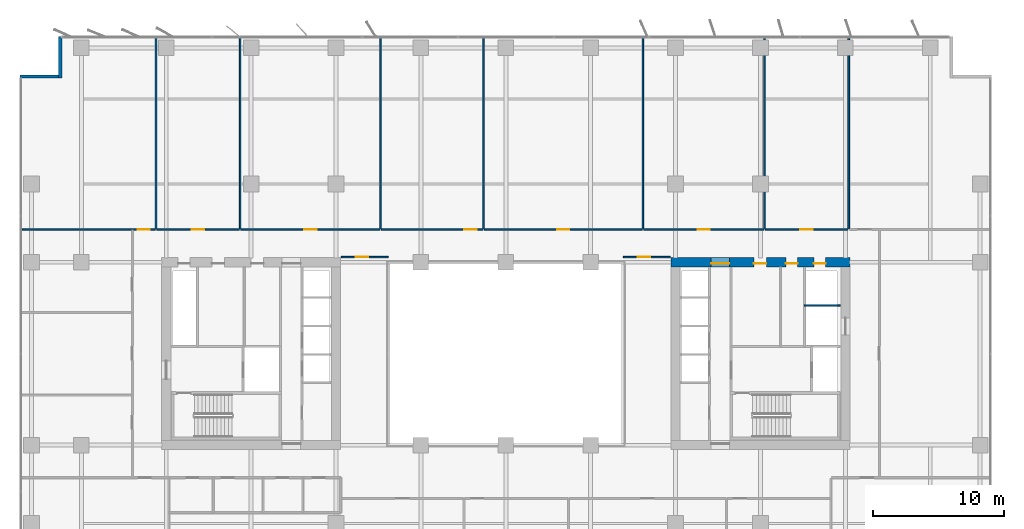
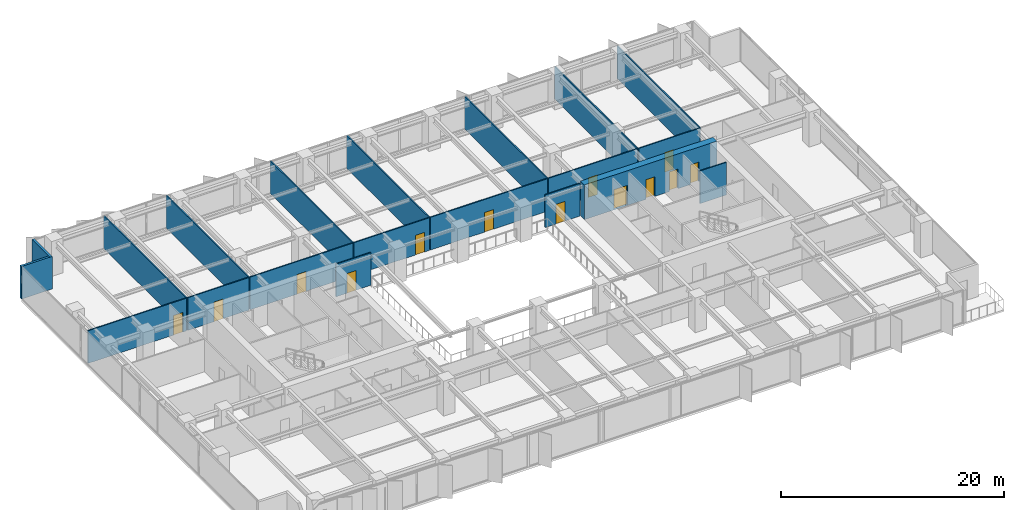
# One storey, part 15 of 20: 20 walls, 13 doors, 13 openings.
"""IFC4 building model written with IfcOpenShell, lengths in metres."""

from ifc_helpers import new_model, si_unit, direction, frame, frame_2d, origin, place, context, subcontext, project, spatial, rectangle, extrude, material, layer, layer_set, type_object, element, fill, save


model = new_model("IFC4")

# Units and contexts
model_context = context("Model", 3, precision=1e-05, world=origin(), true_north=direction((0.0, 1.0)))
body_context = subcontext(model_context, "Body", "Model", "MODEL_VIEW")
ifc_project = project(units=[si_unit("LENGTHUNIT", "METRE"), si_unit("AREAUNIT", "SQUARE_METRE"), si_unit("VOLUMEUNIT", "CUBIC_METRE"), si_unit("PLANEANGLEUNIT", "RADIAN"), si_unit("MASSUNIT", "GRAM", prefix="KILO")], contexts=[model_context])

# Site, building, storey
site_placement = place(None, origin())
site = spatial("IfcSite", under=ifc_project, at=site_placement, CompositionType="ELEMENT")
building_placement = place(site_placement, origin())
building = spatial("IfcBuilding", under=site, at=building_placement, Name="Putna Gate Headquarters", CompositionType="ELEMENT")
storey_placement = place(building_placement, frame((0.0, 0.0, 120.199951171875)))
storey = spatial("IfcBuildingStorey", under=building, at=storey_placement, Name="L29", CompositionType="ELEMENT", Elevation=120.199951171875)

# Wall, openings, doors
ifc_material_1 = material(Name="Concrete C60/75", Category="concrete")
ifc_layer_1 = layer(ifc_material_1, 0.699951171875)
ifc_layer_set_1 = layer_set([ifc_layer_1], Name="Concrete C60/75")
wall_type_1 = type_object("IfcWallType", Name="WALL-CORE-700", PredefinedType="SHEAR", material=ifc_layer_set_1)
wall_1_placement = place(storey_placement, frame((51.64990234375, 33.0, 0.0), z_axis=(0.0, 0.0, 1.0), x_axis=(1.0, 0.0, 0.0)))
wall_1 = element("IfcWall", 1, at=wall_1_placement, inside=storey, type_object=wall_type_1, Name="L29 EC Split Core Shear Wall N", PredefinedType="SHEAR", context=body_context, shape_type="SweptSolid", body=[
    extrude(rectangle(XDim=13.7001953125, YDim=0.699951171875, at=frame_2d((6.85009765625, 0.0))), origin(), (0.0, 0.0, 1.0), 3.800048828125),
])
opening_1_placement = place(wall_1_placement, frame((3.070068359375, 0.0, 0.0)))
opening_1 = element("IfcOpeningElement", 2, at=opening_1_placement, cuts=wall_1, Name="Opening FDD-140", PredefinedType="OPENING", context=body_context, shape_type="SweptSolid", body=[
    extrude(rectangle(XDim=1.39990234375, YDim=2.199951171875, at=frame_2d((0.699951171875, 1.10009765625))), frame((0.0, 0.35986328125, 0.0), z_axis=(0.0, -1.0, 0.0), x_axis=(1.0, 0.0, 0.0)), (0.0, 0.0, 1.0), 0.719970703125),
])
opening_2_placement = place(wall_1_placement, frame((10.949951171875, 0.0, 0.0)))
opening_2 = element("IfcOpeningElement", 3, at=opening_2_placement, cuts=wall_1, Name="Opening RD-90", PredefinedType="OPENING", context=body_context, shape_type="SweptSolid", body=[
    extrude(rectangle(XDim=0.89990234375, YDim=2.14990234375, at=frame_2d((0.449951171875, 1.074951171875))), frame((0.0, 0.35986328125, 0.0), z_axis=(0.0, -1.0, 0.0), x_axis=(1.0, 0.0, 0.0)), (0.0, 0.0, 1.0), 0.719970703125),
])
opening_3_placement = place(wall_1_placement, frame((6.35009765625, 0.0, 0.0)))
opening_3 = element("IfcOpeningElement", 4, at=opening_3_placement, cuts=wall_1, Name="Opening IDS-95", PredefinedType="OPENING", context=body_context, shape_type="SweptSolid", body=[
    extrude(rectangle(XDim=0.949951171875, YDim=2.14990234375, at=frame_2d((0.47509765625, 1.074951171875))), frame((0.0, 0.35986328125, 0.0), z_axis=(0.0, -1.0, 0.0), x_axis=(1.0, 0.0, 0.0)), (0.0, 0.0, 1.0), 0.719970703125),
])
opening_4_placement = place(wall_1_placement, frame((8.800048828125, 0.0, 0.0)))
opening_4 = element("IfcOpeningElement", 5, at=opening_4_placement, cuts=wall_1, Name="Opening IDS-90", PredefinedType="OPENING", context=body_context, shape_type="SweptSolid", body=[
    extrude(rectangle(XDim=0.89990234375, YDim=2.14990234375, at=frame_2d((0.449951171875, 1.074951171875))), frame((0.0, 0.35986328125, 0.0), z_axis=(0.0, -1.0, 0.0), x_axis=(1.0, 0.0, 0.0)), (0.0, 0.0, 1.0), 0.719970703125),
])
ifc_material_2 = material(Name="Double steel fire door", Category="steel")
door_type_1 = type_object("IfcDoorType", Name="DOOR-FIRE-DBL-1400", OperationType="DOUBLE_DOOR_SINGLE_SWING", PredefinedType="DOOR", material=ifc_material_2)
door_1_placement = place(opening_1_placement, origin())
door_1 = element("IfcDoor", 6, at=door_1_placement, inside=storey, type_object=door_type_1, Name="L29 East Lift Lobby North Door", OperationType="DOUBLE_DOOR_SINGLE_SWING", OverallHeight=2.199951171875, OverallWidth=1.39990234375, PredefinedType="DOOR", context=body_context, shape_type="SweptSolid", body=[
    extrude(rectangle(XDim=1.39990234375, YDim=2.199951171875, at=frame_2d((0.699951171875, 1.10009765625))), frame((0.0, -0.0751953125, 0.0), z_axis=(0.0, -1.0, 0.0), x_axis=(1.0, 0.0, 0.0)), (0.0, 0.0, 1.0), 0.050048828125),
])
fill(opening_1, door_1)
ifc_material_3 = material(Name="Fire-rated utility door")
door_type_2 = type_object("IfcDoorType", Name="DOOR-INT-900", OperationType="NOTDEFINED", PredefinedType="DOOR", material=ifc_material_3)
door_2_placement = place(opening_4_placement, origin())
door_2 = element("IfcDoor", 7, at=door_2_placement, inside=storey, type_object=door_type_2, Name="L29 Electrical Plant Door", OperationType="SINGLE_SWING_LEFT", OverallHeight=2.14990234375, OverallWidth=0.89990234375, PredefinedType="DOOR", context=body_context, shape_type="SweptSolid", body=[
    extrude(rectangle(XDim=0.89990234375, YDim=2.14990234375, at=frame_2d((0.449951171875, 1.074951171875))), frame((0.0, -0.0751953125, 0.0), z_axis=(0.0, -1.0, 0.0), x_axis=(1.0, 0.0, 0.0)), (0.0, 0.0, 1.0), 0.050048828125),
])
fill(opening_4, door_2)
ifc_material_4 = material(Name="Fire-rated service timber door", Category="wood")
door_type_3 = type_object("IfcDoorType", Name="DOOR-INT-950", OperationType="NOTDEFINED", PredefinedType="DOOR", material=ifc_material_4)
door_3_placement = place(opening_3_placement, origin())
door_3 = element("IfcDoor", 8, at=door_3_placement, inside=storey, type_object=door_type_3, Name="L29 East Store Door", OperationType="SINGLE_SWING_RIGHT", OverallHeight=2.14990234375, OverallWidth=0.949951171875, PredefinedType="DOOR", context=body_context, shape_type="SweptSolid", body=[
    extrude(rectangle(XDim=0.949951171875, YDim=2.14990234375, at=frame_2d((0.47509765625, 1.074951171875))), frame((0.0, -0.0751953125, 0.0), z_axis=(0.0, -1.0, 0.0), x_axis=(1.0, 0.0, 0.0)), (0.0, 0.0, 1.0), 0.050048828125),
])
fill(opening_3, door_3)
ifc_material_5 = material(Name="Steel riser access fire door", Category="steel")
door_type_4 = type_object("IfcDoorType", Name="DOOR-RISER-900", OperationType="NOTDEFINED", PredefinedType="DOOR", material=ifc_material_5)
door_4_placement = place(opening_2_placement, origin())
door_4 = element("IfcDoor", 9, at=door_4_placement, inside=storey, type_object=door_type_4, Name="L29 East Riser Access Door", OperationType="SINGLE_SWING_LEFT", OverallHeight=2.14990234375, OverallWidth=0.89990234375, PredefinedType="DOOR", context=body_context, shape_type="SweptSolid", body=[
    extrude(rectangle(XDim=0.89990234375, YDim=2.14990234375, at=frame_2d((0.449951171875, 1.074951171875))), frame((0.0, -0.0751953125, 0.0), z_axis=(0.0, -1.0, 0.0), x_axis=(1.0, 0.0, 0.0)), (0.0, 0.0, 1.0), 0.050048828125),
])
fill(opening_2, door_4)

# Walls
ifc_material_6 = material(Name="Precast concrete C40/50", Category="concrete")
ifc_layer_2 = layer(ifc_material_6, 0.239990234375)
ifc_layer_set_2 = layer_set([ifc_layer_2], Name="Precast concrete C40/50")
wall_type_2 = type_object("IfcWallType", Name="WALL-EXT-TERR-240", PredefinedType="STANDARD", material=ifc_layer_set_2)
for number, where, z_axis, x_axis, name in (
    (10, (4.8798828125, 47.10009765625, 0.0), (0.0, 0.0, 1.0), (0.0, 1.0, 0.0), "L29 Corner Notch Return Wall NW-V"),
    (11, (1.800048828125, 47.219970703125, 0.0), (0.0, 0.0, 1.0), (1.0, 0.0, 0.0), "L29 Corner Notch Return Wall NW-H"),
):
    element("IfcWall", number, at=place(storey_placement, frame(where, z_axis=z_axis, x_axis=x_axis)), inside=storey, type_object=wall_type_2, Name=name, PredefinedType="STANDARD", context=body_context, shape_type="SweptSolid", body=[
        extrude(rectangle(XDim=3.199951171875, YDim=0.239990234375, at=frame_2d((1.60009765625, 0.0))), origin(), (0.0, 0.0, 1.0), 3.56494140625),
    ])

# Wall, opening, door
ifc_material_7 = material(Name="Acoustic gypsum board on metal stud")
ifc_layer_3 = layer(ifc_material_7, 0.1201171875)
ifc_layer_set_3 = layer_set([ifc_layer_3], Name="Acoustic gypsum board on metal stud")
wall_type_3 = type_object("IfcWallType", Name="WALL-PART-120", PredefinedType="PARTITIONING", material=ifc_layer_set_3)
wall_2_placement = place(storey_placement, frame((26.39990234375, 33.39990234375, 0.0), z_axis=(0.0, 0.0, 1.0), x_axis=(1.0, 0.0, 0.0)))
wall_2 = element("IfcWall", 12, at=wall_2_placement, inside=storey, type_object=wall_type_3, Name="L29 Interior Wall PART-L29-ATR-W-N", PredefinedType="PARTITIONING", context=body_context, shape_type="SweptSolid", body=[
    extrude(rectangle(XDim=3.60009765625, YDim=0.1201171875, at=frame_2d((1.800048828125, 0.0))), origin(), (0.0, 0.0, 1.0), 3.56494140625),
])
opening_5_placement = place(wall_2_placement, frame((1.10009765625, 0.0, 0.0)))
opening_5 = element("IfcOpeningElement", 13, at=opening_5_placement, cuts=wall_2, Name="Opening ID-95", PredefinedType="OPENING", context=body_context, shape_type="SweptSolid", body=[
    extrude(rectangle(XDim=0.949951171875, YDim=2.14990234375, at=frame_2d((0.47509765625, 1.074951171875))), frame((0.0, 0.070068359375, 0.0), z_axis=(0.0, -1.0, 0.0), x_axis=(1.0, 0.0, 0.0)), (0.0, 0.0, 1.0), 0.14013671875),
])
ifc_material_8 = material(Name="Veneered acoustic timber door", Category="wood")
door_type_5 = type_object("IfcDoorType", Name="DOOR-OFF-950", OperationType="NOTDEFINED", PredefinedType="DOOR", material=ifc_material_8)
door_5_placement = place(opening_5_placement, origin())
door_5 = element("IfcDoor", 14, at=door_5_placement, inside=storey, type_object=door_type_5, Name="L29 West Atrium Lounge Door", OperationType="SINGLE_SWING_LEFT", OverallHeight=2.14990234375, OverallWidth=0.949951171875, PredefinedType="DOOR", context=body_context, shape_type="SweptSolid", body=[
    extrude(rectangle(XDim=0.949951171875, YDim=2.14990234375, at=frame_2d((0.47509765625, 1.074951171875))), frame((0.0, 0.02490234375, 0.0), z_axis=(0.0, -1.0, 0.0), x_axis=(1.0, 0.0, 0.0)), (0.0, 0.0, 1.0), 0.050048828125),
])
fill(opening_5, door_5)

wall_3_placement = place(storey_placement, frame((48.0, 33.39990234375, 0.0), z_axis=(0.0, 0.0, 1.0), x_axis=(1.0, 0.0, 0.0)))
wall_3 = element("IfcWall", 15, at=wall_3_placement, inside=storey, type_object=wall_type_3, Name="L29 Interior Wall PART-L29-ATR-E-N", PredefinedType="PARTITIONING", context=body_context, shape_type="SweptSolid", body=[
    extrude(rectangle(XDim=3.60009765625, YDim=0.1201171875, at=frame_2d((1.800048828125, 0.0))), origin(), (0.0, 0.0, 1.0), 3.56494140625),
])
opening_6_placement = place(wall_3_placement, frame((1.10009765625, 0.0, 0.0)))
opening_6 = element("IfcOpeningElement", 16, at=opening_6_placement, cuts=wall_3, Name="Opening ID-95", PredefinedType="OPENING", context=body_context, shape_type="SweptSolid", body=[
    extrude(rectangle(XDim=0.949951171875, YDim=2.14990234375, at=frame_2d((0.47509765625, 1.074951171875))), frame((0.0, 0.070068359375, 0.0), z_axis=(0.0, -1.0, 0.0), x_axis=(1.0, 0.0, 0.0)), (0.0, 0.0, 1.0), 0.14013671875),
])
door_6_placement = place(opening_6_placement, origin())
door_6 = element("IfcDoor", 17, at=door_6_placement, inside=storey, type_object=door_type_5, Name="L29 East Atrium Lounge Door", OperationType="SINGLE_SWING_RIGHT", OverallHeight=2.14990234375, OverallWidth=0.949951171875, PredefinedType="DOOR", context=body_context, shape_type="SweptSolid", body=[
    extrude(rectangle(XDim=0.949951171875, YDim=2.14990234375, at=frame_2d((0.47509765625, 1.074951171875))), frame((0.0, 0.02490234375, 0.0), z_axis=(0.0, -1.0, 0.0), x_axis=(1.0, 0.0, 0.0)), (0.0, 0.0, 1.0), 0.050048828125),
])
fill(opening_6, door_6)

# Walls
for number, where, z_axis, x_axis, name in (
    (18, (12.21240234375, 35.56005859375, 0.0), (0.0, 0.0, 1.0), (0.0, 1.0, 0.0), "L29 Interior Wall PART-L29-NB-DIV-01"),
    (19, (18.65380859375, 35.56005859375, 0.0), (0.0, 0.0, 1.0), (0.0, 1.0, 0.0), "L29 Interior Wall PART-L29-NB-DIV-02"),
    (20, (29.411865234375, 35.56005859375, 0.0), (0.0, 0.0, 1.0), (0.0, 1.0, 0.0), "L29 Interior Wall PART-L29-NB-DIV-03"),
    (21, (37.297119140625, 35.56005859375, 0.0), (0.0, 0.0, 1.0), (0.0, 1.0, 0.0), "L29 Interior Wall PART-L29-NB-DIV-04"),
    (22, (49.498779296875, 35.56005859375, 0.0), (0.0, 0.0, 1.0), (0.0, 1.0, 0.0), "L29 Interior Wall PART-L29-NB-DIV-05"),
    (23, (58.820556640625, 35.56005859375, 0.0), (0.0, 0.0, 1.0), (0.0, 1.0, 0.0), "L29 Interior Wall PART-L29-NB-DIV-06"),
    (24, (65.261962890625, 35.56005859375, 0.0), (0.0, 0.0, 1.0), (0.0, 1.0, 0.0), "L29 Interior Wall PART-L29-NB-DIV-07"),
):
    element("IfcWall", number, at=place(storey_placement, frame(where, z_axis=z_axis, x_axis=x_axis)), inside=storey, type_object=wall_type_3, Name=name, PredefinedType="PARTITIONING", context=body_context, shape_type="SweptSolid", body=[
        extrude(rectangle(XDim=14.719970703125, YDim=0.1201171875, at=frame_2d((7.35986328125, 0.0))), origin(), (0.0, 0.0, 1.0), 3.56494140625),
    ])
ifc_material_9 = material(Name="Fire-rated shaftwall gypsum board on metal stud")
ifc_layer_4 = layer(ifc_material_9, 0.1201171875)
ifc_layer_set_4 = layer_set([ifc_layer_4], Name="Fire-rated shaftwall gypsum board on metal stud")
wall_type_4 = type_object("IfcWallType", Name="WALL-PART-120-EI120", PredefinedType="PARTITIONING", material=ifc_layer_set_4)
wall_4_placement = place(storey_placement, frame((61.8701171875, 29.699951171875, 0.0), z_axis=(0.0, 0.0, 1.0), x_axis=(1.0, 0.0, 0.0)))
element("IfcWall", 25, at=wall_4_placement, inside=storey, type_object=wall_type_4, Name="L29 Interior Wall CWINT-L29-EC-LF15-N", PredefinedType="PARTITIONING", context=body_context, shape_type="SweptSolid", body=[
    extrude(rectangle(XDim=2.72998046875, YDim=0.1201171875, at=frame_2d((1.364990234375, 0.0))), origin(), (0.0, 0.0, 1.0), 3.56494140625),
])

# Wall, opening, door
ifc_material_10 = material(Name="Fire-rated gypsum board on metal stud")
ifc_layer_5 = layer(ifc_material_10, 0.1201171875)
ifc_layer_set_5 = layer_set([ifc_layer_5], Name="Fire-rated gypsum board on metal stud")
wall_type_5 = type_object("IfcWallType", Name="WALL-PART-120-RATED", PredefinedType="PARTITIONING", material=ifc_layer_set_5)
wall_5_placement = place(storey_placement, frame((1.97998046875, 35.5, 0.0), z_axis=(0.0, 0.0, 1.0), x_axis=(1.0, 0.0, 0.0)))
wall_5 = element("IfcWall", 26, at=wall_5_placement, inside=storey, type_object=wall_type_5, Name="L29 Interior Wall PART-L29-NB-CW-01", PredefinedType="PARTITIONING", context=body_context, shape_type="SweptSolid", body=[
    extrude(rectangle(XDim=10.17236328125, YDim=0.1201171875, at=frame_2d((5.086181640625, 0.0))), origin(), (0.0, 0.0, 1.0), 3.56494140625),
])
opening_7_placement = place(wall_5_placement, frame((8.8212890625, 0.0, 0.0)))
opening_7 = element("IfcOpeningElement", 27, at=opening_7_placement, cuts=wall_5, Name="Opening FD-95", PredefinedType="OPENING", context=body_context, shape_type="SweptSolid", body=[
    extrude(rectangle(XDim=0.949951171875, YDim=2.14990234375, at=frame_2d((0.47509765625, 1.074951171875))), frame((0.0, 0.070068359375, 0.0), z_axis=(0.0, -1.0, 0.0), x_axis=(1.0, 0.0, 0.0)), (0.0, 0.0, 1.0), 0.14013671875),
])
ifc_material_11 = material(Name="Acoustic timber fire door", Category="wood")
door_type_6 = type_object("IfcDoorType", Name="DOOR-FIRE-950", OperationType="NOTDEFINED", PredefinedType="DOOR", material=ifc_material_11)
door_7_placement = place(opening_7_placement, origin())
door_7 = element("IfcDoor", 28, at=door_7_placement, inside=storey, type_object=door_type_6, Name="L29 Quiet Wellness Focus Studio 1 Door", OperationType="SINGLE_SWING_LEFT", OverallHeight=2.14990234375, OverallWidth=0.949951171875, PredefinedType="DOOR", context=body_context, shape_type="SweptSolid", body=[
    extrude(rectangle(XDim=0.949951171875, YDim=2.14990234375, at=frame_2d((0.47509765625, 1.074951171875))), frame((0.0, 0.02490234375, 0.0), z_axis=(0.0, -1.0, 0.0), x_axis=(1.0, 0.0, 0.0)), (0.0, 0.0, 1.0), 0.050048828125),
])
fill(opening_7, door_7)

wall_6_placement = place(storey_placement, frame((12.272216796875, 35.5, 0.0), z_axis=(0.0, 0.0, 1.0), x_axis=(1.0, 0.0, 0.0)))
wall_6 = element("IfcWall", 29, at=wall_6_placement, inside=storey, type_object=wall_type_5, Name="L29 Interior Wall PART-L29-NB-CW-02", PredefinedType="PARTITIONING", context=body_context, shape_type="SweptSolid", body=[
    extrude(rectangle(XDim=6.321533203125, YDim=0.1201171875, at=frame_2d((3.16064453125, 0.0))), origin(), (0.0, 0.0, 1.0), 3.56494140625),
])
opening_8_placement = place(wall_6_placement, frame((2.685791015625, 0.0, 0.0)))
opening_8 = element("IfcOpeningElement", 30, at=opening_8_placement, cuts=wall_6, Name="Opening FD-95", PredefinedType="OPENING", context=body_context, shape_type="SweptSolid", body=[
    extrude(rectangle(XDim=0.949951171875, YDim=2.14990234375, at=frame_2d((0.47509765625, 1.074951171875))), frame((0.0, 0.070068359375, 0.0), z_axis=(0.0, -1.0, 0.0), x_axis=(1.0, 0.0, 0.0)), (0.0, 0.0, 1.0), 0.14013671875),
])
door_8_placement = place(opening_8_placement, origin())
door_8 = element("IfcDoor", 31, at=door_8_placement, inside=storey, type_object=door_type_6, Name="L29 Cellular Office 3 Door", OperationType="SINGLE_SWING_RIGHT", OverallHeight=2.14990234375, OverallWidth=0.949951171875, PredefinedType="DOOR", context=body_context, shape_type="SweptSolid", body=[
    extrude(rectangle(XDim=0.949951171875, YDim=2.14990234375, at=frame_2d((0.47509765625, 1.074951171875))), frame((0.0, 0.02490234375, 0.0), z_axis=(0.0, -1.0, 0.0), x_axis=(1.0, 0.0, 0.0)), (0.0, 0.0, 1.0), 0.050048828125),
])
fill(opening_8, door_8)

wall_7_placement = place(storey_placement, frame((18.7138671875, 35.5, 0.0), z_axis=(0.0, 0.0, 1.0), x_axis=(1.0, 0.0, 0.0)))
wall_7 = element("IfcWall", 32, at=wall_7_placement, inside=storey, type_object=wall_type_5, Name="L29 Interior Wall PART-L29-NB-CW-03", PredefinedType="PARTITIONING", context=body_context, shape_type="SweptSolid", body=[
    extrude(rectangle(XDim=10.637939453125, YDim=0.1201171875, at=frame_2d((5.31884765625, 0.0))), origin(), (0.0, 0.0, 1.0), 3.56494140625),
])
opening_9_placement = place(wall_7_placement, frame((4.843994140625, 0.0, 0.0)))
opening_9 = element("IfcOpeningElement", 33, at=opening_9_placement, cuts=wall_7, Name="Opening FD-95", PredefinedType="OPENING", context=body_context, shape_type="SweptSolid", body=[
    extrude(rectangle(XDim=0.949951171875, YDim=2.14990234375, at=frame_2d((0.47509765625, 1.074951171875))), frame((0.0, 0.070068359375, 0.0), z_axis=(0.0, -1.0, 0.0), x_axis=(1.0, 0.0, 0.0)), (0.0, 0.0, 1.0), 0.14013671875),
])
door_9_placement = place(opening_9_placement, origin())
door_9 = element("IfcDoor", 34, at=door_9_placement, inside=storey, type_object=door_type_6, Name="L29 Cellular Office 4 Door", OperationType="SINGLE_SWING_LEFT", OverallHeight=2.14990234375, OverallWidth=0.949951171875, PredefinedType="DOOR", context=body_context, shape_type="SweptSolid", body=[
    extrude(rectangle(XDim=0.949951171875, YDim=2.14990234375, at=frame_2d((0.47509765625, 1.074951171875))), frame((0.0, 0.02490234375, 0.0), z_axis=(0.0, -1.0, 0.0), x_axis=(1.0, 0.0, 0.0)), (0.0, 0.0, 1.0), 0.050048828125),
])
fill(opening_9, door_9)

wall_8_placement = place(storey_placement, frame((29.4716796875, 35.5, 0.0), z_axis=(0.0, 0.0, 1.0), x_axis=(1.0, 0.0, 0.0)))
wall_8 = element("IfcWall", 35, at=wall_8_placement, inside=storey, type_object=wall_type_5, Name="L29 Interior Wall PART-L29-NB-CW-04", PredefinedType="PARTITIONING", context=body_context, shape_type="SweptSolid", body=[
    extrude(rectangle(XDim=7.765380859375, YDim=0.1201171875, at=frame_2d((3.8828125, 0.0))), origin(), (0.0, 0.0, 1.0), 3.56494140625),
])
opening_10_placement = place(wall_8_placement, frame((6.335205078125, 0.0, 0.0)))
opening_10 = element("IfcOpeningElement", 36, at=opening_10_placement, cuts=wall_8, Name="Opening FD-95", PredefinedType="OPENING", context=body_context, shape_type="SweptSolid", body=[
    extrude(rectangle(XDim=0.949951171875, YDim=2.14990234375, at=frame_2d((0.47509765625, 1.074951171875))), frame((0.0, 0.070068359375, 0.0), z_axis=(0.0, -1.0, 0.0), x_axis=(1.0, 0.0, 0.0)), (0.0, 0.0, 1.0), 0.14013671875),
])
door_10_placement = place(opening_10_placement, origin())
door_10 = element("IfcDoor", 37, at=door_10_placement, inside=storey, type_object=door_type_6, Name="L29 Conference Meeting Room 1 Door", OperationType="SINGLE_SWING_RIGHT", OverallHeight=2.14990234375, OverallWidth=0.949951171875, PredefinedType="DOOR", context=body_context, shape_type="SweptSolid", body=[
    extrude(rectangle(XDim=0.949951171875, YDim=2.14990234375, at=frame_2d((0.47509765625, 1.074951171875))), frame((0.0, 0.02490234375, 0.0), z_axis=(0.0, -1.0, 0.0), x_axis=(1.0, 0.0, 0.0)), (0.0, 0.0, 1.0), 0.050048828125),
])
fill(opening_10, door_10)

wall_9_placement = place(storey_placement, frame((37.357177734375, 35.5, 0.0), z_axis=(0.0, 0.0, 1.0), x_axis=(1.0, 0.0, 0.0)))
wall_9 = element("IfcWall", 38, at=wall_9_placement, inside=storey, type_object=wall_type_5, Name="L29 Interior Wall PART-L29-NB-CW-05", PredefinedType="PARTITIONING", context=body_context, shape_type="SweptSolid", body=[
    extrude(rectangle(XDim=12.081787109375, YDim=0.1201171875, at=frame_2d((6.041015625, 0.0))), origin(), (0.0, 0.0, 1.0), 3.56494140625),
])
opening_11_placement = place(wall_9_placement, frame((5.56591796875, 0.0, 0.0)))
opening_11 = element("IfcOpeningElement", 39, at=opening_11_placement, cuts=wall_9, Name="Opening FD-95", PredefinedType="OPENING", context=body_context, shape_type="SweptSolid", body=[
    extrude(rectangle(XDim=0.949951171875, YDim=2.14990234375, at=frame_2d((0.47509765625, 1.074951171875))), frame((0.0, 0.070068359375, 0.0), z_axis=(0.0, -1.0, 0.0), x_axis=(1.0, 0.0, 0.0)), (0.0, 0.0, 1.0), 0.14013671875),
])
door_11_placement = place(opening_11_placement, origin())
door_11 = element("IfcDoor", 40, at=door_11_placement, inside=storey, type_object=door_type_6, Name="L29 Conference Meeting Room 2 Door", OperationType="SINGLE_SWING_LEFT", OverallHeight=2.14990234375, OverallWidth=0.949951171875, PredefinedType="DOOR", context=body_context, shape_type="SweptSolid", body=[
    extrude(rectangle(XDim=0.949951171875, YDim=2.14990234375, at=frame_2d((0.47509765625, 1.074951171875))), frame((0.0, 0.02490234375, 0.0), z_axis=(0.0, -1.0, 0.0), x_axis=(1.0, 0.0, 0.0)), (0.0, 0.0, 1.0), 0.050048828125),
])
fill(opening_11, door_11)

wall_10_placement = place(storey_placement, frame((49.558837890625, 35.5, 0.0), z_axis=(0.0, 0.0, 1.0), x_axis=(1.0, 0.0, 0.0)))
wall_10 = element("IfcWall", 41, at=wall_10_placement, inside=storey, type_object=wall_type_5, Name="L29 Interior Wall PART-L29-NB-CW-06", PredefinedType="PARTITIONING", context=body_context, shape_type="SweptSolid", body=[
    extrude(rectangle(XDim=9.20166015625, YDim=0.1201171875, at=frame_2d((4.600830078125, 0.0))), origin(), (0.0, 0.0, 1.0), 3.56494140625),
])
opening_12_placement = place(wall_10_placement, frame((4.125732421875, 0.0, 0.0)))
opening_12 = element("IfcOpeningElement", 42, at=opening_12_placement, cuts=wall_10, Name="Opening FD-95", PredefinedType="OPENING", context=body_context, shape_type="SweptSolid", body=[
    extrude(rectangle(XDim=0.949951171875, YDim=2.14990234375, at=frame_2d((0.47509765625, 1.074951171875))), frame((0.0, 0.070068359375, 0.0), z_axis=(0.0, -1.0, 0.0), x_axis=(1.0, 0.0, 0.0)), (0.0, 0.0, 1.0), 0.14013671875),
])
door_12_placement = place(opening_12_placement, origin())
door_12 = element("IfcDoor", 43, at=door_12_placement, inside=storey, type_object=door_type_6, Name="L29 Conference Meeting Room 3 Door", OperationType="SINGLE_SWING_RIGHT", OverallHeight=2.14990234375, OverallWidth=0.949951171875, PredefinedType="DOOR", context=body_context, shape_type="SweptSolid", body=[
    extrude(rectangle(XDim=0.949951171875, YDim=2.14990234375, at=frame_2d((0.47509765625, 1.074951171875))), frame((0.0, 0.02490234375, 0.0), z_axis=(0.0, -1.0, 0.0), x_axis=(1.0, 0.0, 0.0)), (0.0, 0.0, 1.0), 0.050048828125),
])
fill(opening_12, door_12)

wall_11_placement = place(storey_placement, frame((58.880615234375, 35.5, 0.0), z_axis=(0.0, 0.0, 1.0), x_axis=(1.0, 0.0, 0.0)))
wall_11 = element("IfcWall", 44, at=wall_11_placement, inside=storey, type_object=wall_type_5, Name="L29 Interior Wall PART-L29-NB-CW-07", PredefinedType="PARTITIONING", context=body_context, shape_type="SweptSolid", body=[
    extrude(rectangle(XDim=6.3212890625, YDim=0.1201171875, at=frame_2d((3.16064453125, 0.0))), origin(), (0.0, 0.0, 1.0), 3.56494140625),
])
opening_13_placement = place(wall_11_placement, frame((2.685791015625, 0.0, 0.0)))
opening_13 = element("IfcOpeningElement", 45, at=opening_13_placement, cuts=wall_11, Name="Opening FD-95", PredefinedType="OPENING", context=body_context, shape_type="SweptSolid", body=[
    extrude(rectangle(XDim=0.949951171875, YDim=2.14990234375, at=frame_2d((0.47509765625, 1.074951171875))), frame((0.0, 0.070068359375, 0.0), z_axis=(0.0, -1.0, 0.0), x_axis=(1.0, 0.0, 0.0)), (0.0, 0.0, 1.0), 0.14013671875),
])
door_13_placement = place(opening_13_placement, origin())
door_13 = element("IfcDoor", 46, at=door_13_placement, inside=storey, type_object=door_type_6, Name="L29 Conference Meeting Room 4 Door", OperationType="SINGLE_SWING_LEFT", OverallHeight=2.14990234375, OverallWidth=0.949951171875, PredefinedType="DOOR", context=body_context, shape_type="SweptSolid", body=[
    extrude(rectangle(XDim=0.949951171875, YDim=2.14990234375, at=frame_2d((0.47509765625, 1.074951171875))), frame((0.0, 0.02490234375, 0.0), z_axis=(0.0, -1.0, 0.0), x_axis=(1.0, 0.0, 0.0)), (0.0, 0.0, 1.0), 0.050048828125),
])
fill(opening_13, door_13)

save(model, "model.ifc")
